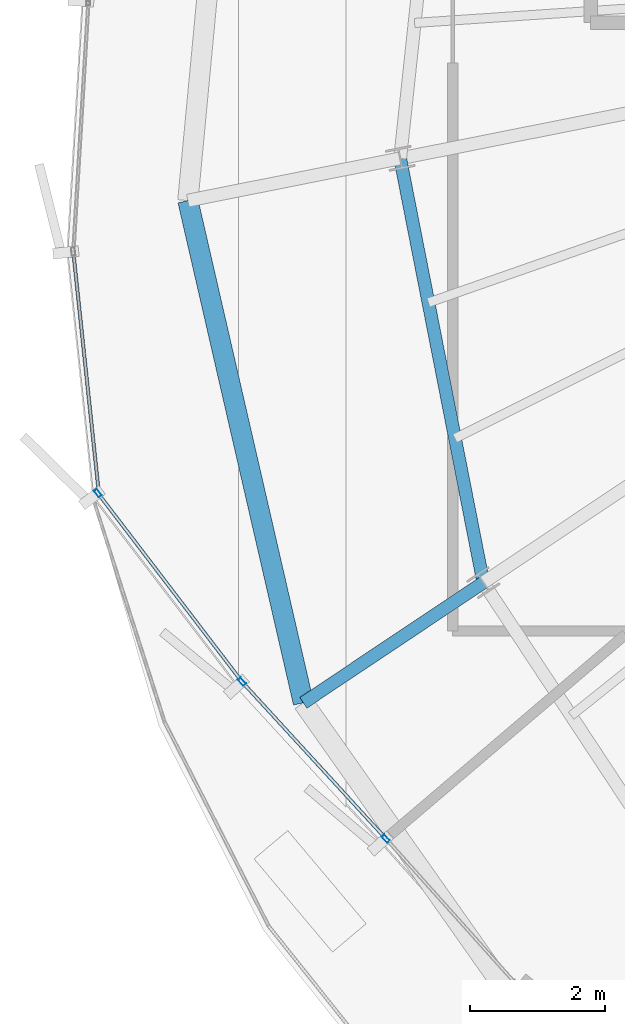
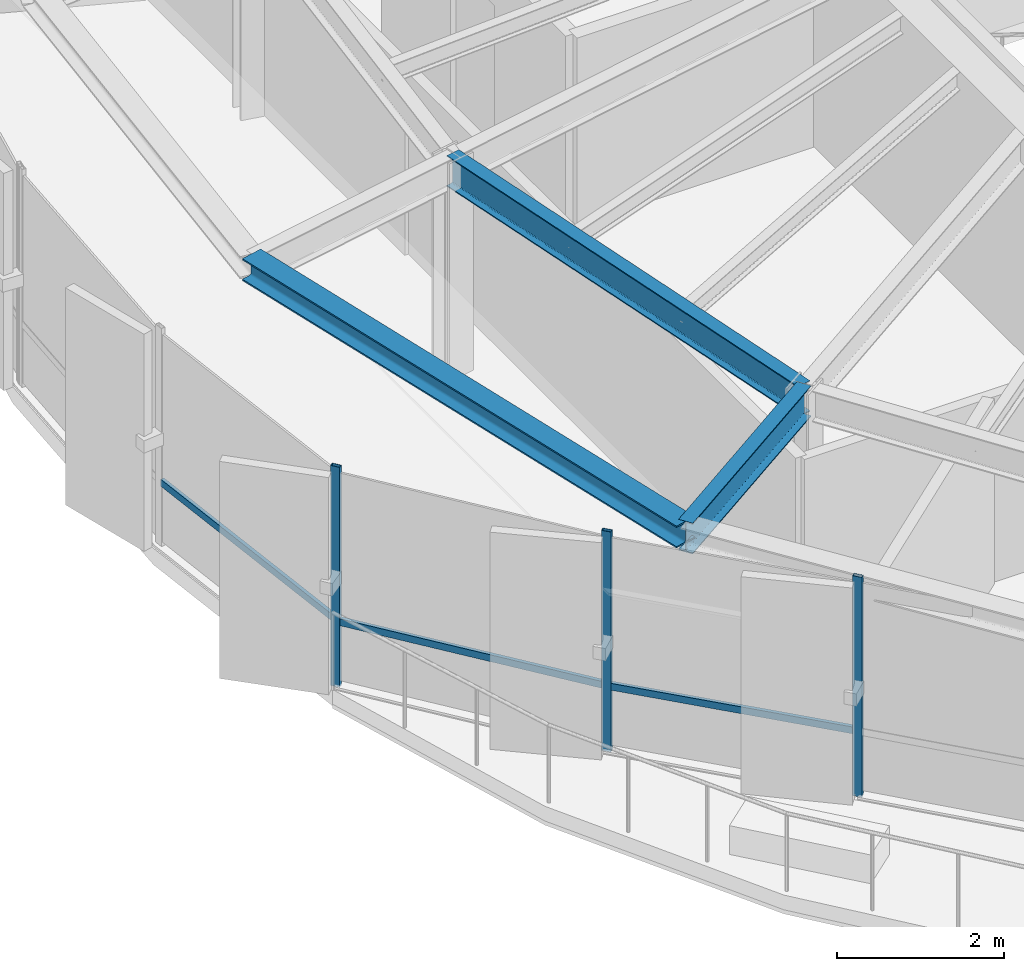
# One storey, part 4 of 34: 6 members, 3 beams, 1 element without a shape of its own.
"""IFC4 building model written with IfcOpenShell, lengths in metres."""

from ifc_helpers import new_model, si_unit, direction, frame, origin, origin_2d, place, context, subcontext, project, spatial, hollow_rectangle, i_section, extrude, source, transform, mapped, material, layer, layer_set, material_profile, profile_set, type_object, element, aggregate, save


model = new_model("IFC4")

# Units and contexts
model_context = context("Model", 3, precision=1e-05, world=origin(), true_north=direction((0.0, 1.0)))
body_context = subcontext(model_context, "Body", "Model", "MODEL_VIEW")
ifc_project = project(units=[si_unit("LENGTHUNIT", "METRE"), si_unit("AREAUNIT", "SQUARE_METRE"), si_unit("VOLUMEUNIT", "CUBIC_METRE"), si_unit("PLANEANGLEUNIT", "RADIAN"), si_unit("MASSUNIT", "GRAM", prefix="KILO"), si_unit("THERMODYNAMICTEMPERATUREUNIT", "KELVIN")], contexts=[model_context])

# Site, building, storey
site_placement = place(None, origin())
site = spatial("IfcSite", under=ifc_project, at=site_placement, CompositionType="ELEMENT")
building_placement = place(site_placement, origin())
building = spatial("IfcBuilding", under=site, at=building_placement, Name="Kethvar Cultural Tower", CompositionType="ELEMENT")
storey_placement = place(building_placement, frame((0.0, 0.0, 262.89990234375)))
storey = spatial("IfcBuildingStorey", under=building, at=storey_placement, Name="L69", CompositionType="ELEMENT", Elevation=262.89990234375)

# Beams
ifc_material_1 = material(Name="Steel S355J2", Category="steel")
ifc_material_profile_1 = material_profile(ifc_material_1, i_section(OverallWidth=0.18994140625, OverallDepth=0.449951171875, WebThickness=0.009521484375, FlangeThickness=0.0146484375, FilletRadius=0.02099609375, at=origin_2d()), Name="Steel S355J2 — IPE450")
ifc_profile_set_1 = profile_set([ifc_material_profile_1], Name="Steel S355J2 — IPE450")
beam_type_1 = type_object("IfcBeamType", Name="BM-IPE450", PredefinedType="BEAM", material=ifc_profile_set_1)
shared_shape_1 = source(origin(), body_context, "Body", "SweptSolid", [
    extrude(i_section(OverallWidth=0.18994140625, OverallDepth=0.449951171875, WebThickness=0.009521484375, FlangeThickness=0.0146484375, FilletRadius=0.02099609375, at=origin_2d()), origin(), (0.0, 0.0, 1.0), 3.199951171875),
])
beam_1_placement = place(storey_placement, frame((32.912841796875, 18.52099609375, 2.983154296875), z_axis=(-0.831462943996, -0.555580212716, 0.0), x_axis=(0.555580212716, -0.831462943996, 0.0)))
element("IfcBeam", 1, at=beam_1_placement, inside=storey, type_object=beam_type_1, Name="L69 Perimeter Cantilever Beam RC-10", PredefinedType="BEAM", context=body_context, shape_type="MappedRepresentation", body=[
    mapped(shared_shape_1, transform((0.0, 0.0, 0.0), scale=1.0)),
])
shared_shape_2 = source(origin(), body_context, "Body", "SweptSolid", [
    extrude(i_section(OverallWidth=0.18994140625, OverallDepth=0.449951171875, WebThickness=0.009521484375, FlangeThickness=0.0146484375, FilletRadius=0.02099609375, at=origin_2d()), origin(), (0.0, 0.0, 1.0), 6.391357421875),
])
beam_2_placement = place(storey_placement, frame((31.68310546875, 24.79296875, 2.983154296875), z_axis=(0.192405084368, -0.981315588131, 0.0), x_axis=(0.981315588131, 0.192405084368, 0.0)))
element("IfcBeam", 2, at=beam_2_placement, inside=storey, type_object=beam_type_1, Name="L69 Column Ring Tie Beam CR-09", PredefinedType="BEAM", context=body_context, shape_type="MappedRepresentation", body=[
    mapped(shared_shape_2, transform((0.0, 0.0, 0.0), scale=1.0)),
])
ifc_material_profile_2 = material_profile(ifc_material_1, i_section(OverallWidth=0.300048828125, OverallDepth=0.320068359375, WebThickness=0.011474609375, FlangeThickness=0.0205078125, FilletRadius=0.027099609375, at=origin_2d()), Name="Steel S355J2 — HEB320")
ifc_profile_set_2 = profile_set([ifc_material_profile_2], Name="Steel S355J2 — HEB320")
beam_type_2 = type_object("IfcBeamType", Name="BM-SP320", PredefinedType="SPANDREL", material=ifc_profile_set_2)
shared_shape_3 = source(origin(), body_context, "Body", "SweptSolid", [
    extrude(i_section(OverallWidth=0.300048828125, OverallDepth=0.320068359375, WebThickness=0.011474609375, FlangeThickness=0.0205078125, FilletRadius=0.027099609375, at=origin_2d()), origin(), (0.0, 0.0, 1.0), 7.619384765625),
])
beam_3_placement = place(storey_placement, frame((28.54443359375, 24.168701171875, 3.048095703125), z_axis=(0.224133998424, -0.974558336248, 0.0), x_axis=(0.974558336248, 0.224133998424, 0.0)))
element("IfcBeam", 3, at=beam_3_placement, inside=storey, type_object=beam_type_2, Name="L69 Perimeter Spandrel Beam SP-09", PredefinedType="SPANDREL", context=body_context, shape_type="MappedRepresentation", body=[
    mapped(shared_shape_3, transform((0.0, 0.0, 0.0), scale=1.0)),
])

# Curtain wall, members
ifc_material_2 = material(Name="Aluminium 6063-T6", Category="aluminium")
ifc_layer = layer(ifc_material_2, 0.179931640625, Name="Aluminium 6063-T6", Category="aluminium")
ifc_layer_set = layer_set([ifc_layer], Name="Aluminium 6063-T6 (180 mm)")
curtain_wall_type = type_object("IfcCurtainWallType", Name="CW-SYS-05-Z56", PredefinedType="NOTDEFINED", material=ifc_layer_set)
curtain_wall_placement = place(storey_placement, origin())
curtain_wall = element("IfcCurtainWall", 4, at=curtain_wall_placement, inside=storey, type_object=curtain_wall_type, Name="L69 Curtain Wall Run 03", PredefinedType="NOTDEFINED")
ifc_material_profile_3 = material_profile(ifc_material_2, hollow_rectangle(XDim=0.054931640625, YDim=0.1201171875, WallThickness=0.00390625, at=origin_2d()), Name="Aluminium 6063-T6 — RHS120x55x4")
ifc_profile_set_3 = profile_set([ifc_material_profile_3], Name="Aluminium 6063-T6 — RHS120x55x4")
member_type_1 = type_object("IfcMemberType", Name="CW-SYS-05-Z56-MUL", PredefinedType="MULLION", material=ifc_profile_set_3)
shared_shape_4 = source(origin(), body_context, "Body", "SweptSolid", [
    extrude(hollow_rectangle(XDim=0.054931640625, YDim=0.1201171875, WallThickness=0.00390625, at=origin_2d()), origin(), (0.0, 0.0, 1.0), 3.210205078125),
])
member_1_placement = place(storey_placement, frame((27.21337890625, 19.84423828125, 0.0), z_axis=(0.0, 0.0, 1.0), x_axis=(0.794679562609, 0.607029153148, 0.0)))
member_1 = element("IfcMember", 5, at=member_1_placement, type_object=member_type_1, Name="CW-L69-R03 Mullion 3", PredefinedType="MULLION", context=body_context, shape_type="MappedRepresentation", body=[
    mapped(shared_shape_4, transform((0.0, 0.0, 0.0), scale=1.0)),
])
member_2_placement = place(storey_placement, frame((29.34326171875, 17.055419921875, 0.0), z_axis=(0.0, 0.0, 1.0), x_axis=(0.736923497556, 0.6759761525, 0.0)))
member_2 = element("IfcMember", 6, at=member_2_placement, type_object=member_type_1, Name="CW-L69-R03 Mullion 4", PredefinedType="MULLION", context=body_context, shape_type="MappedRepresentation", body=[
    mapped(shared_shape_4, transform((0.0, 0.0, 0.0), scale=1.0)),
])
member_3_placement = place(storey_placement, frame((31.47119140625, 14.7353515625, 0.0), z_axis=(0.0, 0.0, 1.0), x_axis=(0.744847476632, 0.667234768694, 0.0)))
member_3 = element("IfcMember", 7, at=member_3_placement, type_object=member_type_1, Name="CW-L69-R03 Mullion 5", PredefinedType="MULLION", context=body_context, shape_type="MappedRepresentation", body=[
    mapped(shared_shape_4, transform((0.0, 0.0, 0.0), scale=1.0)),
])
ifc_material_profile_4 = material_profile(ifc_material_2, hollow_rectangle(XDim=0.050048828125, YDim=0.10009765625, WallThickness=0.00390625, at=origin_2d()), Name="Aluminium 6063-T6 — RHS100x50x4")
ifc_profile_set_4 = profile_set([ifc_material_profile_4], Name="Aluminium 6063-T6 — RHS100x50x4")
member_type_2 = type_object("IfcMemberType", Name="CW-SYS-05-Z56-TRN", PredefinedType="USERDEFINED", material=ifc_profile_set_4)
shared_shape_5 = source(origin(), body_context, "Body", "SweptSolid", [
    extrude(hollow_rectangle(XDim=0.050048828125, YDim=0.10009765625, WallThickness=0.00390625, at=origin_2d()), origin(), (0.0, 0.0, 1.0), 3.561279296875),
])
member_4_placement = place(storey_placement, frame((26.854248046875, 23.375, 0.9501953125), z_axis=(0.105298555389, -0.994440653952, 0.0), x_axis=(0.994440653952, 0.105298555389, 0.0)))
member_4 = element("IfcMember", 8, at=member_4_placement, type_object=member_type_2, Name="CW-L69-R03 Transom 2", ObjectType="TRANSOM", PredefinedType="USERDEFINED", context=body_context, shape_type="MappedRepresentation", body=[
    mapped(shared_shape_5, transform((0.0, 0.0, 0.0), scale=1.0)),
])
shared_shape_6 = source(origin(), body_context, "Body", "SweptSolid", [
    extrude(hollow_rectangle(XDim=0.050048828125, YDim=0.10009765625, WallThickness=0.00390625, at=origin_2d()), origin(), (0.0, 0.0, 1.0), 3.43896484375),
])
member_5_placement = place(storey_placement, frame((27.2373046875, 19.812744140625, 0.9501953125), z_axis=(0.607075845299, -0.794643893864, 0.0), x_axis=(0.794643893864, 0.607075845299, 0.0)))
member_5 = element("IfcMember", 9, at=member_5_placement, type_object=member_type_2, Name="CW-L69-R03 Transom 3", ObjectType="TRANSOM", PredefinedType="USERDEFINED", context=body_context, shape_type="MappedRepresentation", body=[
    mapped(shared_shape_6, transform((0.0, 0.0, 0.0), scale=1.0)),
])
shared_shape_7 = source(origin(), body_context, "Body", "SweptSolid", [
    extrude(hollow_rectangle(XDim=0.050048828125, YDim=0.10009765625, WallThickness=0.00390625, at=origin_2d()), origin(), (0.0, 0.0, 1.0), 3.067626953125),
])
member_6_placement = place(storey_placement, frame((29.3701171875, 17.026123046875, 0.9501953125), z_axis=(0.675926422029, -0.736969111973, 0.0), x_axis=(0.736969111973, 0.675926422029, 0.0)))
member_6 = element("IfcMember", 10, at=member_6_placement, type_object=member_type_2, Name="CW-L69-R03 Transom 4", ObjectType="TRANSOM", PredefinedType="USERDEFINED", context=body_context, shape_type="MappedRepresentation", body=[
    mapped(shared_shape_7, transform((0.0, 0.0, 0.0), scale=1.0)),
])
aggregate(curtain_wall, [member_1, member_2, member_3, member_4, member_5, member_6])

save(model, "model.ifc")
